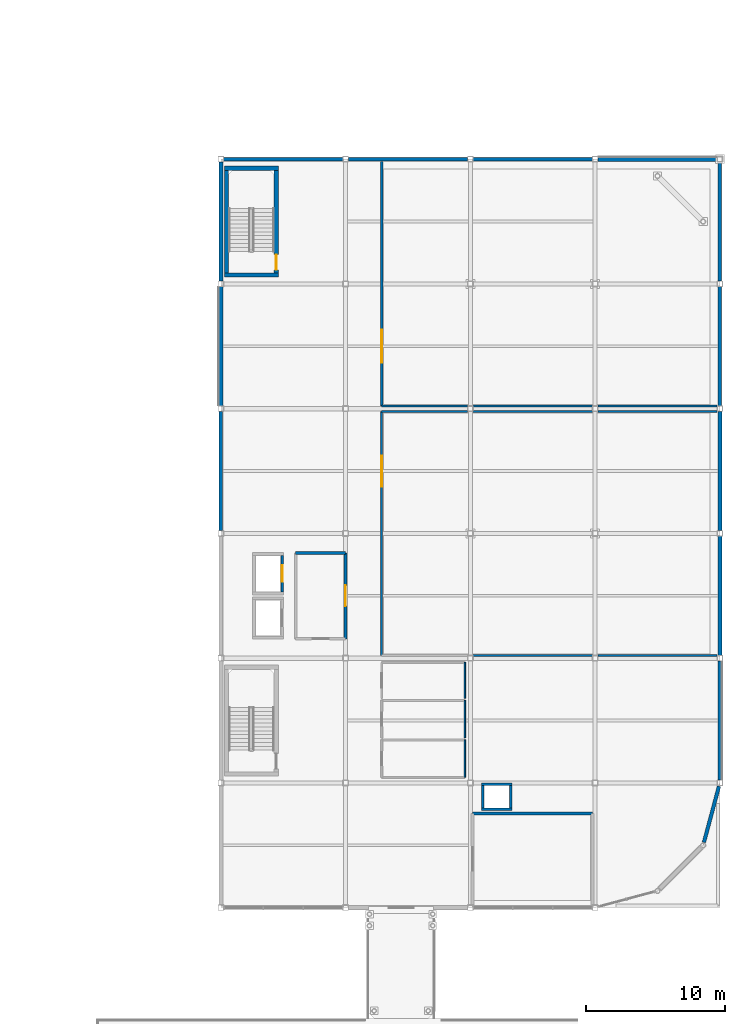
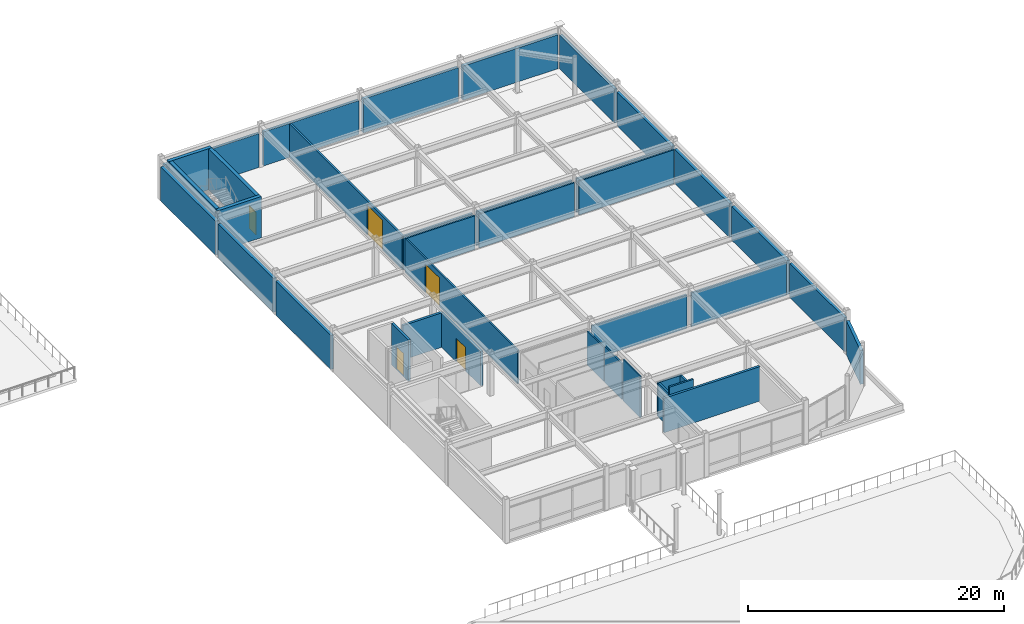
# One storey, part 41 of 53: 38 walls, 5 doors, 5 openings.
"""IFC4 building model written with IfcOpenShell, lengths in metres."""

from ifc_helpers import new_model, si_unit, direction, frame, frame_2d, origin, place, context, subcontext, project, spatial, rectangle, extrude, material, layer, layer_set, type_object, element, fill, save


model = new_model("IFC4")

# Units and contexts
model_context = context("Model", 3, precision=1e-05, world=origin(), true_north=direction((0.0, 1.0)))
body_context = subcontext(model_context, "Body", "Model", "MODEL_VIEW")
ifc_project = project(units=[si_unit("LENGTHUNIT", "METRE"), si_unit("AREAUNIT", "SQUARE_METRE"), si_unit("VOLUMEUNIT", "CUBIC_METRE"), si_unit("PLANEANGLEUNIT", "RADIAN"), si_unit("MASSUNIT", "GRAM", prefix="KILO")], contexts=[model_context])

# Site, building, storey
site_placement = place(None, origin())
site = spatial("IfcSite", under=ifc_project, at=site_placement, CompositionType="ELEMENT")
building_placement = place(site_placement, origin())
building = spatial("IfcBuilding", under=site, at=building_placement, Name="Suzunagisa Mobility Hub", CompositionType="ELEMENT")
storey_placement = place(building_placement, frame((0.0, 0.0, 17.699951171875)))
storey = spatial("IfcBuildingStorey", under=building, at=storey_placement, Name="L04", CompositionType="ELEMENT", Elevation=17.699951171875)

# Walls
ifc_material_1 = material(Name="Porcelain-Faced Insulated Concrete C30/37 Wall", Category="concrete")
ifc_layer_1 = layer(ifc_material_1, 0.260009765625)
ifc_layer_set_1 = layer_set([ifc_layer_1], Name="Porcelain-Faced Insulated Concrete C30/37 Wall")
wall_type_1 = type_object("IfcWallType", Name="Exterior Wall EW-03 260mm", PredefinedType="SOLIDWALL", material=ifc_layer_set_1)
wall_1_placement = place(storey_placement, frame((178.8505859375, 48.710205078125, 0.0), z_axis=(0.0, 0.0, 1.0), x_axis=(0.258792310386, 0.965932989438, 0.0)))
element("IfcWall", 1, at=wall_1_placement, inside=storey, type_object=wall_type_1, Name="L04 Exterior Facade Wall EW-394", PredefinedType="SOLIDWALL", context=body_context, shape_type="SweptSolid", body=[
    extrude(rectangle(XDim=4.1962890625, YDim=0.260009765625, at=frame_2d((2.09814453125, 0.0))), origin(), (0.0, 0.0, 1.0), 3.239990234375),
])
for number, where, z_axis, x_axis, name in (
    (2, (180.0, 80.199951171875, 0.0), (0.0, 0.0, 1.0), (0.0, 1.0, 0.0), "L04 Exterior Facade Wall EW-398"),
    (3, (161.800048828125, 98.0, 0.0), (0.0, 0.0, 1.0), (-1.0, 0.0, 0.0), "L04 Exterior Facade Wall EW-402"),
    (4, (144.0, 79.800048828125, 0.0), (0.0, 0.0, 1.0), (0.0, -1.0, 0.0), "L04 Exterior Facade Wall EW-406"),
):
    element("IfcWall", number, at=place(storey_placement, frame(where, z_axis=z_axis, x_axis=x_axis)), inside=storey, type_object=wall_type_1, Name=name, PredefinedType="SOLIDWALL", context=body_context, shape_type="SweptSolid", body=[
        extrude(rectangle(XDim=8.60009765625, YDim=0.260009765625, at=frame_2d((4.300048828125, 0.0))), origin(), (0.0, 0.0, 1.0), 3.239990234375),
    ])
ifc_material_2 = material(Name="Lightweight Insulated Autoclaved Concrete C30/37 Wall", Category="concrete")
ifc_layer_2 = layer(ifc_material_2, 0.239990234375)
ifc_layer_set_2 = layer_set([ifc_layer_2], Name="Lightweight Insulated Autoclaved Concrete C30/37 Wall")
wall_type_2 = type_object("IfcWallType", Name="Exterior Wall EW-04 240mm", PredefinedType="SOLIDWALL", material=ifc_layer_set_2)
for number, where, z_axis, x_axis, name in (
    (5, (180.0, 53.199951171875, 0.0), (0.0, 0.0, 1.0), (0.0, 1.0, 0.0), "L04 Exterior Facade Wall EW-395"),
    (6, (180.0, 89.199951171875, 0.0), (0.0, 0.0, 1.0), (0.0, 1.0, 0.0), "L04 Exterior Facade Wall EW-399"),
    (7, (152.800048828125, 98.0, 0.0), (0.0, 0.0, 1.0), (-1.0, 0.0, 0.0), "L04 Exterior Facade Wall EW-403"),
):
    element("IfcWall", number, at=place(storey_placement, frame(where, z_axis=z_axis, x_axis=x_axis)), inside=storey, type_object=wall_type_2, Name=name, PredefinedType="SOLIDWALL", context=body_context, shape_type="SweptSolid", body=[
        extrude(rectangle(XDim=8.60009765625, YDim=0.239990234375, at=frame_2d((4.300048828125, 0.0))), origin(), (0.0, 0.0, 1.0), 3.239990234375),
    ])
ifc_layer_3 = layer(ifc_material_1, 0.280029296875)
ifc_layer_set_3 = layer_set([ifc_layer_3], Name="Porcelain-Faced Insulated Concrete C30/37 Wall")
wall_type_3 = type_object("IfcWallType", Name="Exterior Wall EW-08 280mm", PredefinedType="SOLIDWALL", material=ifc_layer_set_3)
for number, where, z_axis, x_axis, name in (
    (8, (180.0, 71.199951171875, 0.0), (0.0, 0.0, 1.0), (0.0, 1.0, 0.0), "L04 Exterior Facade Wall EW-397"),
    (9, (170.800048828125, 98.0, 0.0), (0.0, 0.0, 1.0), (-1.0, 0.0, 0.0), "L04 Exterior Facade Wall EW-401"),
    (10, (144.0, 88.800048828125, 0.0), (0.0, 0.0, 1.0), (0.0, -1.0, 0.0), "L04 Exterior Facade Wall EW-405"),
):
    element("IfcWall", number, at=place(storey_placement, frame(where, z_axis=z_axis, x_axis=x_axis)), inside=storey, type_object=wall_type_3, Name=name, PredefinedType="SOLIDWALL", context=body_context, shape_type="SweptSolid", body=[
        extrude(rectangle(XDim=8.60009765625, YDim=0.280029296875, at=frame_2d((4.300048828125, 0.0))), origin(), (0.0, 0.0, 1.0), 3.239990234375),
    ])
ifc_material_3 = material(Name="Insulated Precast Concrete C35/45 Panel", Category="concrete")
ifc_layer_4 = layer(ifc_material_3, 0.300048828125)
ifc_layer_set_4 = layer_set([ifc_layer_4], Name="Insulated Precast Concrete C35/45 Panel")
wall_type_4 = type_object("IfcWallType", Name="Exterior Wall EW-09 300mm", PredefinedType="SOLIDWALL", material=ifc_layer_set_4)
for number, where, z_axis, x_axis, name in (
    (11, (180.0, 62.199951171875, 0.0), (0.0, 0.0, 1.0), (0.0, 1.0, 0.0), "L04 Exterior Facade Wall EW-396"),
    (12, (179.800048828125, 98.0, 0.0), (0.0, 0.0, 1.0), (-1.0, 0.0, 0.0), "L04 Exterior Facade Wall EW-400"),
    (13, (144.0, 97.800048828125, 0.0), (0.0, 0.0, 1.0), (0.0, -1.0, 0.0), "L04 Exterior Facade Wall EW-404"),
):
    element("IfcWall", number, at=place(storey_placement, frame(where, z_axis=z_axis, x_axis=x_axis)), inside=storey, type_object=wall_type_4, Name=name, PredefinedType="SOLIDWALL", context=body_context, shape_type="SweptSolid", body=[
        extrude(rectangle(XDim=8.60009765625, YDim=0.300048828125, at=frame_2d((4.300048828125, 0.0))), origin(), (0.0, 0.0, 1.0), 3.239990234375),
    ])
ifc_material_4 = material(Name="Concrete C35/45", Category="concrete")
ifc_layer_5 = layer(ifc_material_4, 0.31005859375)
ifc_layer_set_5 = layer_set([ifc_layer_5], Name="Concrete C35/45")
wall_type_5 = type_object("IfcWallType", Name="Interior Wall IW-01 310mm", PredefinedType="SHEAR", material=ifc_layer_set_5)
for number, where, z_axis, x_axis, name in (
    (14, (144.25, 89.64501953125, 0.0), (0.0, 0.0, 1.0), (1.0, 0.0, 0.0), "L04 Core C5B Shear Wall SW-481"),
    (15, (144.25, 97.35498046875, 0.0), (0.0, 0.0, 1.0), (1.0, 0.0, 0.0), "L04 Core C5B Shear Wall SW-482"),
):
    element("IfcWall", number, at=place(storey_placement, frame(where, z_axis=z_axis, x_axis=x_axis)), inside=storey, type_object=wall_type_5, Name=name, PredefinedType="SHEAR", context=body_context, shape_type="SweptSolid", body=[
        extrude(rectangle(XDim=3.89990234375, YDim=0.31005859375, at=frame_2d((1.949951171875, 0.0))), origin(), (0.0, 0.0, 1.0), 3.93994140625),
    ])
wall_2_placement = place(storey_placement, frame((144.405029296875, 89.800048828125, 0.0), z_axis=(0.0, 0.0, 1.0), x_axis=(0.0, 1.0, 0.0)))
element("IfcWall", 16, at=wall_2_placement, inside=storey, type_object=wall_type_5, Name="L04 Core C5B Shear Wall SW-483", PredefinedType="SHEAR", context=body_context, shape_type="SweptSolid", body=[
    extrude(rectangle(XDim=7.39990234375, YDim=0.31005859375, at=frame_2d((3.699951171875, 0.0))), origin(), (0.0, 0.0, 1.0), 3.93994140625),
])

# Wall, opening, door
wall_3_placement = place(storey_placement, frame((147.9951171875, 89.800048828125, 0.0), z_axis=(0.0, 0.0, 1.0), x_axis=(0.0, 1.0, 0.0)))
wall_3 = element("IfcWall", 17, at=wall_3_placement, inside=storey, type_object=wall_type_5, Name="L04 Core C5B Shear Wall SW-484", PredefinedType="SHEAR", context=body_context, shape_type="SweptSolid", body=[
    extrude(rectangle(XDim=7.39990234375, YDim=0.31005859375, at=frame_2d((3.699951171875, 0.0))), origin(), (0.0, 0.0, 1.0), 3.93994140625),
])
opening_1_placement = place(wall_3_placement, frame((0.219970703125, 0.0, 0.0)))
opening_1 = element("IfcOpeningElement", 18, at=opening_1_placement, cuts=wall_3, Name="Opening DR-05", PredefinedType="OPENING", context=body_context, shape_type="SweptSolid", body=[
    extrude(rectangle(XDim=1.10009765625, YDim=2.14990234375, at=frame_2d((0.550048828125, 1.074951171875))), frame((0.0, 0.166015625, 0.0), z_axis=(0.0, -1.0, 0.0), x_axis=(1.0, 0.0, 0.0)), (0.0, 0.0, 1.0), 0.33203125),
])
ifc_material_5 = material(Name="Fire-Rated Hollow Steel Stair Door", Category="steel")
door_type_1 = type_object("IfcDoorType", Name="Interior Door DR-05 1100x2150", OperationType="SINGLE_SWING_LEFT", PredefinedType="DOOR", material=ifc_material_5)
door_1_placement = place(opening_1_placement, origin())
door_1 = element("IfcDoor", 19, at=door_1_placement, inside=storey, type_object=door_type_1, Name="L04 Core C5B Escape Stair Fire Door SD-118", OperationType="SINGLE_SWING_LEFT", OverallHeight=2.14990234375, OverallWidth=1.10009765625, PredefinedType="DOOR", context=body_context, shape_type="SweptSolid", body=[
    extrude(rectangle(XDim=1.10009765625, YDim=2.14990234375, at=frame_2d((0.550048828125, 1.074951171875))), frame((0.0, 0.02490234375, 0.0), z_axis=(0.0, -1.0, 0.0), x_axis=(1.0, 0.0, 0.0)), (0.0, 0.0, 1.0), 0.050048828125),
])
fill(opening_1, door_1)

# Walls
ifc_material_6 = material(Name="Moisture-Resistant Gypsum Partition", Category="gypsum")
ifc_layer_6 = layer(ifc_material_6, 0.1201171875)
ifc_layer_set_6 = layer_set([ifc_layer_6], Name="Moisture-Resistant Gypsum Partition")
wall_type_6 = type_object("IfcWallType", Name="Interior Wall IW-02 120mm", PredefinedType="PARTITIONING", material=ifc_layer_set_6)
wall_4_placement = place(storey_placement, frame((161.60009765625, 53.39990234375, 0.0), z_axis=(0.0, 0.0, 1.0), x_axis=(0.0, 1.0, 0.0)))
element("IfcWall", 20, at=wall_4_placement, inside=storey, type_object=wall_type_6, Name="L04 Male Restroom WC L04 Partition PW-618", PredefinedType="PARTITIONING", context=body_context, shape_type="SweptSolid", body=[
    extrude(rectangle(XDim=2.7001953125, YDim=0.1201171875, at=frame_2d((1.35009765625, 0.0))), origin(), (0.0, 0.0, 1.0), 3.93994140625),
])
wall_5_placement = place(storey_placement, frame((161.60009765625, 56.25, 0.0), z_axis=(0.0, 0.0, 1.0), x_axis=(0.0, 1.0, 0.0)))
element("IfcWall", 21, at=wall_5_placement, inside=storey, type_object=wall_type_6, Name="L04 Female Restroom WC L04 Partition PW-621", PredefinedType="PARTITIONING", context=body_context, shape_type="SweptSolid", body=[
    extrude(rectangle(XDim=2.699951171875, YDim=0.1201171875, at=frame_2d((1.35009765625, 0.0))), origin(), (0.0, 0.0, 1.0), 3.43994140625),
])
wall_6_placement = place(storey_placement, frame((161.60009765625, 59.10009765625, 0.0), z_axis=(0.0, 0.0, 1.0), x_axis=(0.0, 1.0, 0.0)))
element("IfcWall", 22, at=wall_6_placement, inside=storey, type_object=wall_type_6, Name="L04 Accessible Restroom WC L04 Partition PW-624", PredefinedType="PARTITIONING", context=body_context, shape_type="SweptSolid", body=[
    extrude(rectangle(XDim=2.599853515625, YDim=0.1201171875, at=frame_2d((1.2998046875, 0.0))), origin(), (0.0, 0.0, 1.0), 3.239990234375),
])

# Wall, opening, door
ifc_material_7 = material(Name="Fire-Rated Gypsum Stud Partition", Category="gypsum")
ifc_layer_7 = layer(ifc_material_7, 0.2099609375)
ifc_layer_set_7 = layer_set([ifc_layer_7], Name="Fire-Rated Gypsum Stud Partition")
wall_type_7 = type_object("IfcWallType", Name="Interior Wall IW-03 210mm", PredefinedType="PARTITIONING", material=ifc_layer_set_7)
wall_7_placement = place(storey_placement, frame((148.425048828125, 66.780029296875, 0.0), z_axis=(0.0, 0.0, 1.0), x_axis=(0.0, 1.0, 0.0)))
wall_7 = element("IfcWall", 23, at=wall_7_placement, inside=storey, type_object=wall_type_7, Name="L04 Lift LF-06 Shaft Front Wall", PredefinedType="PARTITIONING", context=body_context, shape_type="SweptSolid", body=[
    extrude(rectangle(XDim=2.639892578125, YDim=0.2099609375, at=frame_2d((1.31982421875, 0.0))), origin(), (0.0, 0.0, 1.0), 3.93994140625),
])
opening_2_placement = place(wall_7_placement, frame((0.719970703125, 0.0, 0.0)))
opening_2 = element("IfcOpeningElement", 24, at=opening_2_placement, cuts=wall_7, Name="Opening LD-03", PredefinedType="OPENING", context=body_context, shape_type="SweptSolid", body=[
    extrude(rectangle(XDim=1.199951171875, YDim=2.199951171875, at=frame_2d((0.60009765625, 1.10009765625))), frame((0.0, 0.115966796875, 0.0), z_axis=(0.0, -1.0, 0.0), x_axis=(1.0, 0.0, 0.0)), (0.0, 0.0, 1.0), 0.23193359375),
])
ifc_material_8 = material(Name="Brushed Stainless Steel SUS304", Category="metal")
door_type_2 = type_object("IfcDoorType", Name="Lift Landing Sliding Door LD-03 1200x2200", OperationType="SLIDING_TO_LEFT", PredefinedType="DOOR", material=ifc_material_8)
door_2_placement = place(opening_2_placement, origin())
door_2 = element("IfcDoor", 25, at=door_2_placement, inside=storey, type_object=door_type_2, Name="L04 Lift LF-06 Sliding Landing Door", OperationType="SLIDING_TO_RIGHT", OverallHeight=2.199951171875, OverallWidth=1.199951171875, PredefinedType="DOOR", context=body_context, shape_type="SweptSolid", body=[
    extrude(rectangle(XDim=1.199951171875, YDim=2.199951171875, at=frame_2d((0.60009765625, 1.10009765625))), frame((0.0, 0.02490234375, 0.0), z_axis=(0.0, -1.0, 0.0), x_axis=(1.0, 0.0, 0.0)), (0.0, 0.0, 1.0), 0.050048828125),
])
fill(opening_2, door_2)

# Wall
wall_8_placement = place(storey_placement, frame((149.39990234375, 69.60009765625, 0.0), z_axis=(0.0, 0.0, 1.0), x_axis=(1.0, 0.0, 0.0)))
element("IfcWall", 26, at=wall_8_placement, inside=storey, type_object=wall_type_7, Name="L04 Firefighting Lift Lobby L04 Partition PW-554", PredefinedType="PARTITIONING", context=body_context, shape_type="SweptSolid", body=[
    extrude(rectangle(XDim=3.60009765625, YDim=0.2099609375, at=frame_2d((1.800048828125, 0.0))), origin(), (0.0, 0.0, 1.0), 3.2900390625),
])

# Wall, opening, door
wall_9_placement = place(storey_placement, frame((153.0, 63.39990234375, 0.0), z_axis=(0.0, 0.0, 1.0), x_axis=(0.0, 1.0, 0.0)))
wall_9 = element("IfcWall", 27, at=wall_9_placement, inside=storey, type_object=wall_type_7, Name="L04 Firefighting Lift Lobby L04 Partition PW-556", PredefinedType="PARTITIONING", context=body_context, shape_type="SweptSolid", body=[
    extrude(rectangle(XDim=6.2001953125, YDim=0.2099609375, at=frame_2d((3.10009765625, 0.0))), origin(), (0.0, 0.0, 1.0), 3.2900390625),
])
opening_3_placement = place(wall_9_placement, frame((2.35009765625, 0.0, 0.0)))
opening_3 = element("IfcOpeningElement", 28, at=opening_3_placement, cuts=wall_9, Name="Opening DR-15", PredefinedType="OPENING", context=body_context, shape_type="SweptSolid", body=[
    extrude(rectangle(XDim=1.5, YDim=2.25, at=frame_2d((0.75, 1.125))), frame((0.0, 0.115966796875, 0.0), z_axis=(0.0, -1.0, 0.0), x_axis=(1.0, 0.0, 0.0)), (0.0, 0.0, 1.0), 0.23193359375),
])
ifc_material_9 = material(Name="Smoke-Control Double Fire Door")
door_type_3 = type_object("IfcDoorType", Name="Interior Door DR-15 1500x2250", OperationType="SINGLE_SWING_LEFT", PredefinedType="DOOR", material=ifc_material_9)
door_3_placement = place(opening_3_placement, origin())
door_3 = element("IfcDoor", 29, at=door_3_placement, inside=storey, type_object=door_type_3, Name="L04 Firefighting Lift Lobby L04 Door DR-132", OperationType="SINGLE_SWING_LEFT", OverallHeight=2.25, OverallWidth=1.5, PredefinedType="DOOR", context=body_context, shape_type="SweptSolid", body=[
    extrude(rectangle(XDim=1.5, YDim=2.25, at=frame_2d((0.75, 1.125))), frame((0.0, 0.02490234375, 0.0), z_axis=(0.0, -1.0, 0.0), x_axis=(1.0, 0.0, 0.0)), (0.0, 0.0, 1.0), 0.050048828125),
])
fill(opening_3, door_3)

# Walls
wall_10_placement = place(storey_placement, frame((162.14990234375, 50.800048828125, 0.0), z_axis=(0.0, 0.0, 1.0), x_axis=(1.0, 0.0, 0.0)))
element("IfcWall", 30, at=wall_10_placement, inside=storey, type_object=wall_type_7, Name="L04 East Wing Heat-Recovery Plant Room L04 Partition PW-875", PredefinedType="PARTITIONING", context=body_context, shape_type="SweptSolid", body=[
    extrude(rectangle(XDim=8.650146484375, YDim=0.2099609375, at=frame_2d((4.3251953125, 0.0))), origin(), (0.0, 0.0, 1.0), 3.2900390625),
])
ifc_layer_8 = layer(ifc_material_7, 0.169921875)
ifc_layer_set_8 = layer_set([ifc_layer_8], Name="Fire-Rated Gypsum Stud Partition")
wall_type_8 = type_object("IfcWallType", Name="Interior Wall IW-05 170mm", PredefinedType="PARTITIONING", material=ifc_layer_set_8)
wall_11_placement = place(storey_placement, frame((162.81494140625, 51.10009765625, 0.0), z_axis=(0.0, 0.0, 1.0), x_axis=(1.0, 0.0, 0.0)))
element("IfcWall", 31, at=wall_11_placement, inside=storey, type_object=wall_type_8, Name="L04 MEP Service Riser Wall RW-521", PredefinedType="PARTITIONING", context=body_context, shape_type="SweptSolid", body=[
    extrude(rectangle(XDim=2.170166015625, YDim=0.169921875, at=frame_2d((1.0849609375, 0.0))), origin(), (0.0, 0.0, 1.0), 3.920166015625),
])
wall_12_placement = place(storey_placement, frame((162.81494140625, 52.89990234375, 0.0), z_axis=(0.0, 0.0, 1.0), x_axis=(1.0, 0.0, 0.0)))
element("IfcWall", 32, at=wall_12_placement, inside=storey, type_object=wall_type_8, Name="L04 MEP Service Riser Wall RW-522", PredefinedType="PARTITIONING", context=body_context, shape_type="SweptSolid", body=[
    extrude(rectangle(XDim=2.170166015625, YDim=0.169921875, at=frame_2d((1.0849609375, 0.0))), origin(), (0.0, 0.0, 1.0), 3.239990234375),
])
for number, where, z_axis, x_axis, name in (
    (33, (162.89990234375, 51.18505859375, 0.0), (0.0, 0.0, 1.0), (0.0, 1.0, 0.0), "L04 MEP Service Riser Wall RW-523"),
    (34, (164.89990234375, 51.18505859375, 0.0), (0.0, 0.0, 1.0), (0.0, 1.0, 0.0), "L04 MEP Service Riser Wall RW-524"),
):
    element("IfcWall", number, at=place(storey_placement, frame(where, z_axis=z_axis, x_axis=x_axis)), inside=storey, type_object=wall_type_8, Name=name, PredefinedType="PARTITIONING", context=body_context, shape_type="SweptSolid", body=[
        extrude(rectangle(XDim=1.6298828125, YDim=0.169921875, at=frame_2d((0.81494140625, 0.0))), origin(), (0.0, 0.0, 1.0), 3.239990234375),
    ])
wall_13_placement = place(storey_placement, frame((155.60009765625, 80.199951171875, 0.0), z_axis=(0.0, 0.0, 1.0), x_axis=(1.0, 0.0, 0.0)))
element("IfcWall", 35, at=wall_13_placement, inside=storey, type_object=wall_type_8, Name="L04 Club Locker and Shower Suite L04 Partition PW-871", PredefinedType="PARTITIONING", context=body_context, shape_type="SweptSolid", body=[
    extrude(rectangle(XDim=6.199951171875, YDim=0.169921875, at=frame_2d((3.10009765625, 0.0))), origin(), (0.0, 0.0, 1.0), 3.239990234375),
])
for number, where, z_axis, x_axis, name in (
    (36, (162.199951171875, 80.199951171875, 0.0), (0.0, 0.0, 1.0), (1.0, 0.0, 0.0), "L04 Club Locker and Shower Suite L04 Partition PW-872"),
    (37, (171.199951171875, 80.199951171875, 0.0), (0.0, 0.0, 1.0), (1.0, 0.0, 0.0), "L04 Club Locker and Shower Suite L04 Partition PW-873"),
):
    element("IfcWall", number, at=place(storey_placement, frame(where, z_axis=z_axis, x_axis=x_axis)), inside=storey, type_object=wall_type_8, Name=name, PredefinedType="PARTITIONING", context=body_context, shape_type="SweptSolid", body=[
        extrude(rectangle(XDim=8.60009765625, YDim=0.169921875, at=frame_2d((4.300048828125, 0.0))), origin(), (0.0, 0.0, 1.0), 3.239990234375),
    ])

# Wall, opening, door
wall_14_placement = place(storey_placement, frame((155.60009765625, 80.199951171875, 0.0), z_axis=(0.0, 0.0, 1.0), x_axis=(0.0, 1.0, 0.0)))
wall_14 = element("IfcWall", 38, at=wall_14_placement, inside=storey, type_object=wall_type_8, Name="L04 Club Locker and Shower Suite L04 Partition PW-874", PredefinedType="PARTITIONING", context=body_context, shape_type="SweptSolid", body=[
    extrude(rectangle(XDim=17.635009765625, YDim=0.169921875, at=frame_2d((8.8173828125, 0.0))), origin(), (0.0, 0.0, 1.0), 3.239990234375),
])
opening_4_placement = place(wall_14_placement, frame((3.1201171875, 0.0, 0.0)))
opening_4 = element("IfcOpeningElement", 39, at=opening_4_placement, cuts=wall_14, Name="Opening DR-12", PredefinedType="OPENING", context=body_context, shape_type="SweptSolid", body=[
    extrude(rectangle(XDim=2.360107421875, YDim=2.87890625, at=frame_2d((1.18017578125, 1.439453125))), frame((0.0, 0.095947265625, 0.0), z_axis=(0.0, -1.0, 0.0), x_axis=(1.0, 0.0, 0.0)), (0.0, 0.0, 1.0), 0.19189453125),
])
ifc_material_10 = material(Name="Anodized Aluminum Double Exhibition Door", Category="aluminium")
door_type_4 = type_object("IfcDoorType", Name="Interior Door DR-12 2360x2879", OperationType="SINGLE_SWING_LEFT", PredefinedType="DOOR", material=ifc_material_10)
door_4_placement = place(opening_4_placement, origin())
door_4 = element("IfcDoor", 40, at=door_4_placement, inside=storey, type_object=door_type_4, Name="L04 Club Locker and Shower Suite L04 Door DR-217", OperationType="SINGLE_SWING_RIGHT", OverallHeight=2.87890625, OverallWidth=2.360107421875, PredefinedType="DOOR", context=body_context, shape_type="SweptSolid", body=[
    extrude(rectangle(XDim=2.360107421875, YDim=2.87890625, at=frame_2d((1.18017578125, 1.439453125))), frame((0.0, 0.02490234375, 0.0), z_axis=(0.0, -1.0, 0.0), x_axis=(1.0, 0.0, 0.0)), (0.0, 0.0, 1.0), 0.050048828125),
])
fill(opening_4, door_4)

# Walls
ifc_material_11 = material(Name="Acoustic Steel-Stud Gypsum Partition", Category="steel")
ifc_layer_9 = layer(ifc_material_11, 0.14501953125)
ifc_layer_set_9 = layer_set([ifc_layer_9], Name="Acoustic Steel-Stud Gypsum Partition")
wall_type_9 = type_object("IfcWallType", Name="Interior Wall IW-06 145mm", PredefinedType="PARTITIONING", material=ifc_layer_set_9)
for number, where, z_axis, x_axis, name in (
    (41, (162.199951171875, 62.199951171875, 0.0), (0.0, 0.0, 1.0), (1.0, 0.0, 0.0), "L04 Active Mobility Wellness and Rehabilitation Studio Partition PW-865"),
    (42, (171.199951171875, 62.199951171875, 0.0), (0.0, 0.0, 1.0), (1.0, 0.0, 0.0), "L04 Active Mobility Wellness and Rehabilitation Studio Partition PW-866"),
):
    element("IfcWall", number, at=place(storey_placement, frame(where, z_axis=z_axis, x_axis=x_axis)), inside=storey, type_object=wall_type_9, Name=name, PredefinedType="PARTITIONING", context=body_context, shape_type="SweptSolid", body=[
        extrude(rectangle(XDim=8.60009765625, YDim=0.14501953125, at=frame_2d((4.300048828125, 0.0))), origin(), (0.0, 0.0, 1.0), 3.239990234375),
    ])
wall_15_placement = place(storey_placement, frame((155.60009765625, 79.800048828125, 0.0), z_axis=(0.0, 0.0, 1.0), x_axis=(1.0, 0.0, 0.0)))
element("IfcWall", 43, at=wall_15_placement, inside=storey, type_object=wall_type_9, Name="L04 Active Mobility Wellness and Rehabilitation Studio Partition PW-867", PredefinedType="PARTITIONING", context=body_context, shape_type="SweptSolid", body=[
    extrude(rectangle(XDim=6.199951171875, YDim=0.14501953125, at=frame_2d((3.10009765625, 0.0))), origin(), (0.0, 0.0, 1.0), 3.239990234375),
])
for number, where, z_axis, x_axis, name in (
    (44, (162.199951171875, 79.800048828125, 0.0), (0.0, 0.0, 1.0), (1.0, 0.0, 0.0), "L04 Active Mobility Wellness and Rehabilitation Studio Partition PW-868"),
    (45, (171.199951171875, 79.800048828125, 0.0), (0.0, 0.0, 1.0), (1.0, 0.0, 0.0), "L04 Active Mobility Wellness and Rehabilitation Studio Partition PW-869"),
):
    element("IfcWall", number, at=place(storey_placement, frame(where, z_axis=z_axis, x_axis=x_axis)), inside=storey, type_object=wall_type_9, Name=name, PredefinedType="PARTITIONING", context=body_context, shape_type="SweptSolid", body=[
        extrude(rectangle(XDim=8.60009765625, YDim=0.14501953125, at=frame_2d((4.300048828125, 0.0))), origin(), (0.0, 0.0, 1.0), 3.239990234375),
    ])

# Wall, opening, door
wall_16_placement = place(storey_placement, frame((155.60009765625, 62.199951171875, 0.0), z_axis=(0.0, 0.0, 1.0), x_axis=(0.0, 1.0, 0.0)))
wall_16 = element("IfcWall", 46, at=wall_16_placement, inside=storey, type_object=wall_type_9, Name="L04 Active Mobility Wellness and Rehabilitation Studio Partition PW-870", PredefinedType="PARTITIONING", context=body_context, shape_type="SweptSolid", body=[
    extrude(rectangle(XDim=17.60009765625, YDim=0.14501953125, at=frame_2d((8.800048828125, 0.0))), origin(), (0.0, 0.0, 1.0), 3.239990234375),
])
opening_5_placement = place(wall_16_placement, frame((12.179931640625, 0.0, 0.0)))
opening_5 = element("IfcOpeningElement", 47, at=opening_5_placement, cuts=wall_16, Name="Opening DR-24", PredefinedType="OPENING", context=body_context, shape_type="SweptSolid", body=[
    extrude(rectangle(XDim=2.239990234375, YDim=2.73291015625, at=frame_2d((1.1201171875, 1.366455078125))), frame((0.0, 0.08349609375, 0.0), z_axis=(0.0, -1.0, 0.0), x_axis=(1.0, 0.0, 0.0)), (0.0, 0.0, 1.0), 0.1669921875),
])
ifc_material_12 = material(Name="Anodized Aluminum Double Bosai Hall Door", Category="aluminium")
door_type_5 = type_object("IfcDoorType", Name="Interior Door DR-24 2240x2733", OperationType="SINGLE_SWING_LEFT", PredefinedType="DOOR", material=ifc_material_12)
door_5_placement = place(opening_5_placement, origin())
door_5 = element("IfcDoor", 48, at=door_5_placement, inside=storey, type_object=door_type_5, Name="L04 Active Mobility Wellness and Rehabilitation Studio Door DR-216", OperationType="SINGLE_SWING_LEFT", OverallHeight=2.73291015625, OverallWidth=2.239990234375, PredefinedType="DOOR", context=body_context, shape_type="SweptSolid", body=[
    extrude(rectangle(XDim=2.239990234375, YDim=2.73291015625, at=frame_2d((1.1201171875, 1.366455078125))), frame((0.0, 0.02490234375, 0.0), z_axis=(0.0, -1.0, 0.0), x_axis=(1.0, 0.0, 0.0)), (0.0, 0.0, 1.0), 0.050048828125),
])
fill(opening_5, door_5)

save(model, "model.ifc")
